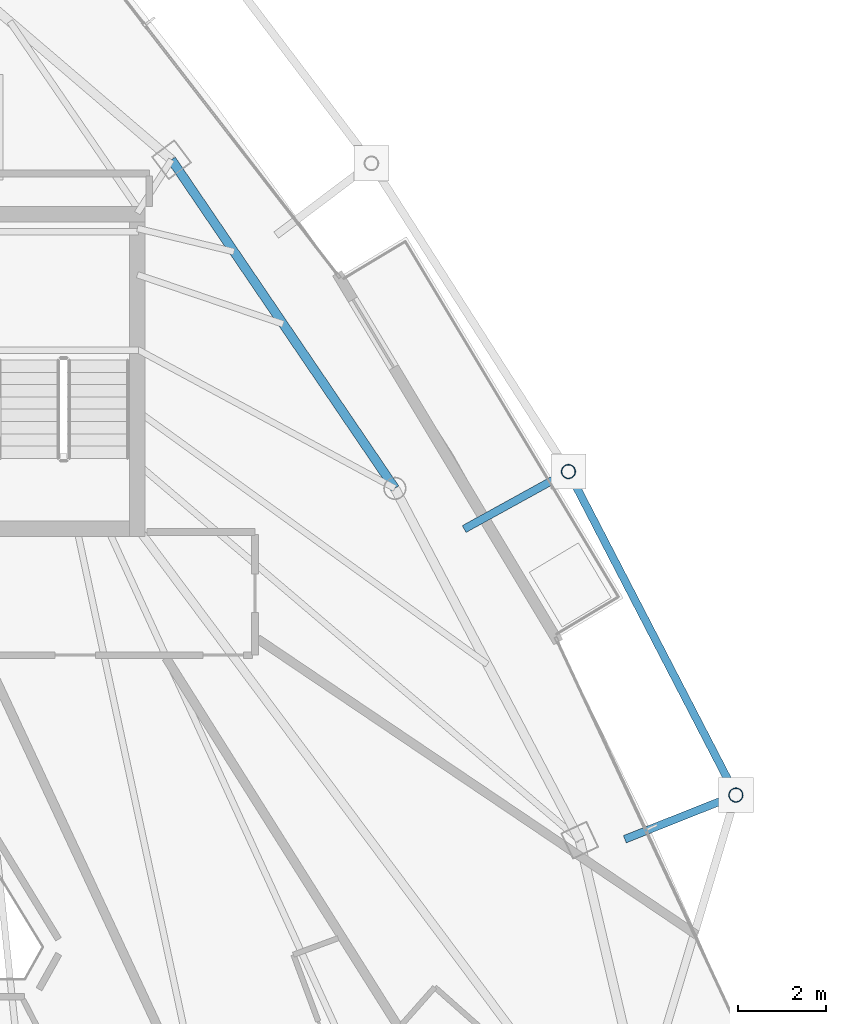
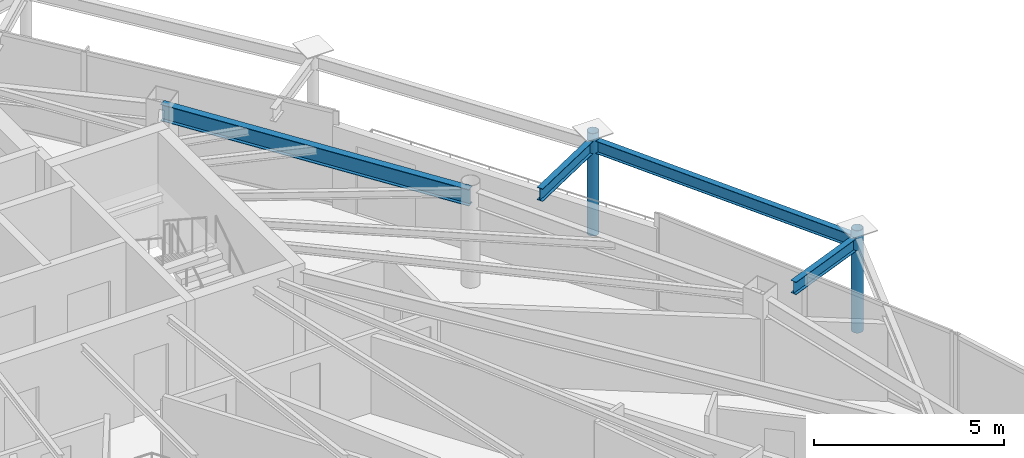
# One storey, part 18 of 29: 4 beams, 2 members.
"""IFC4 building model written with IfcOpenShell, lengths in metres."""

from ifc_helpers import new_model, si_unit, direction, frame, origin, origin_2d, place, context, subcontext, project, spatial, hollow_circle, i_section, extrude, material, material_profile, profile_set, type_object, element, save


model = new_model("IFC4")

# Units and contexts
model_context = context("Model", 3, precision=1e-05, world=origin(), true_north=direction((0.0, 1.0)))
body_context = subcontext(model_context, "Body", "Model", "MODEL_VIEW")
ifc_project = project(units=[si_unit("LENGTHUNIT", "METRE"), si_unit("AREAUNIT", "SQUARE_METRE"), si_unit("VOLUMEUNIT", "CUBIC_METRE"), si_unit("PLANEANGLEUNIT", "RADIAN"), si_unit("MASSUNIT", "GRAM", prefix="KILO")], contexts=[model_context])

# Site, building, storey
site_placement = place(None, origin())
site = spatial("IfcSite", under=ifc_project, at=site_placement, CompositionType="ELEMENT")
building_placement = place(site_placement, origin())
building = spatial("IfcBuilding", under=site, at=building_placement, Name="Orvanel Arch Residences", CompositionType="ELEMENT")
storey_placement = place(building_placement, frame((0.0, 0.0, 256.85009765625)))
storey = spatial("IfcBuildingStorey", under=building, at=storey_placement, Name="L73", CompositionType="ELEMENT", Elevation=256.85009765625)

# Beams
ifc_material_1 = material(Name="Structural steel AS/NZS 3679.1 Grade 300 (300 MPa)", Category="steel")
ifc_material_profile_1 = material_profile(ifc_material_1, i_section(OverallWidth=0.177978515625, OverallDepth=0.406005859375, WebThickness=0.0078125, FlangeThickness=0.0126953125, at=origin_2d()), Name="410UB59.7")
ifc_profile_set_1 = profile_set([ifc_material_profile_1], Name="Structural steel AS/NZS 3679.1 Grade 300 (300 MPa)")
beam_type_1 = type_object("IfcBeamType", Name="OB-410UB-EXT", PredefinedType="SPANDREL", material=ifc_profile_set_1)
beam_1_placement = place(storey_placement, frame((50.658935546875, 19.6640625, 2.85693359375), z_axis=(0.929255351853, 0.369438074719, 0.0), x_axis=(-0.369438074719, 0.929255351853, 0.0)))
element("IfcBeam", 1, at=beam_1_placement, inside=storey, type_object=beam_type_1, Name="L73 Outer Frame Radial Tie Beam 09", PredefinedType="SPANDREL", context=body_context, shape_type="SweptSolid", body=[
    extrude(i_section(OverallWidth=0.177978515625, OverallDepth=0.406005859375, WebThickness=0.0078125, FlangeThickness=0.0126953125, at=origin_2d()), origin(), (0.0, 0.0, 1.0), 2.71728515625),
])
beam_2_placement = place(storey_placement, frame((53.18408203125, 20.66796875, 2.85693359375), z_axis=(-0.459692354951, 0.88807822786, 0.0), x_axis=(-0.88807822786, -0.459692354951, 0.0)))
element("IfcBeam", 2, at=beam_2_placement, inside=storey, type_object=beam_type_1, Name="L73 Outer Perimeter Floor Ring Beam 09", PredefinedType="SPANDREL", context=body_context, shape_type="SweptSolid", body=[
    extrude(i_section(OverallWidth=0.177978515625, OverallDepth=0.406005859375, WebThickness=0.0078125, FlangeThickness=0.0126953125, at=origin_2d()), origin(), (0.0, 0.0, 1.0), 8.281982421875),
])
beam_3_placement = place(storey_placement, frame((47.006103515625, 26.716064453125, 2.85693359375), z_axis=(0.87576045219, 0.482745927358, 0.0), x_axis=(-0.482745927358, 0.87576045219, 0.0)))
element("IfcBeam", 3, at=beam_3_placement, inside=storey, type_object=beam_type_1, Name="L73 Outer Frame Radial Tie Beam 10", PredefinedType="SPANDREL", context=body_context, shape_type="SweptSolid", body=[
    extrude(i_section(OverallWidth=0.177978515625, OverallDepth=0.406005859375, WebThickness=0.0078125, FlangeThickness=0.0126953125, at=origin_2d()), origin(), (0.0, 0.0, 1.0), 2.707275390625),
])
ifc_material_profile_2 = material_profile(ifc_material_1, i_section(OverallWidth=0.208984375, OverallDepth=0.532958984375, WebThickness=0.01025390625, FlangeThickness=0.015625, at=origin_2d()), Name="530UB92.4")
ifc_profile_set_2 = profile_set([ifc_material_profile_2], Name="Structural steel AS/NZS 3679.1 Grade 300 (300 MPa)")
beam_type_2 = type_object("IfcBeamType", Name="SP-530UB", PredefinedType="SPANDREL", material=ifc_profile_set_2)
beam_4_placement = place(storey_placement, frame((45.430908203125, 27.64111328125, 2.7939453125), z_axis=(-0.562154793153, 0.827032035978, 0.0), x_axis=(-0.827032035978, -0.562154793153, 0.0)))
element("IfcBeam", 4, at=beam_4_placement, inside=storey, type_object=beam_type_2, Name="L73 Perimeter Spandrel Beam 08", PredefinedType="SPANDREL", context=body_context, shape_type="SweptSolid", body=[
    extrude(i_section(OverallWidth=0.208984375, OverallDepth=0.532958984375, WebThickness=0.01025390625, FlangeThickness=0.015625, at=origin_2d()), origin(), (0.0, 0.0, 1.0), 9.03466796875),
])

# Members
ifc_material_2 = material(Name="Structural steel AS/NZS 1163 C350L0 (Grade 350)", Category="steel")
ifc_material_profile_3 = material_profile(ifc_material_2, hollow_circle(Radius=0.162109375, WallThickness=0.0126953125, at=origin_2d()), Name="CHS324x12.7")
ifc_profile_set_3 = profile_set([ifc_material_profile_3], Name="Structural steel AS/NZS 1163 C350L0 (Grade 350)")
member_type = type_object("IfcMemberType", Name="ST-324CHS-EXT", PredefinedType="STRUT", material=ifc_profile_set_3)
for number, where, z_axis, x_axis, name in (
    (5, (53.18408203125, 20.66796875, 0.0), (0.0, 0.0, 1.0), (1.0, 0.0, 0.0), "L73 Outer Perimeter Frame Post 09"),
    (6, (49.376953125, 28.02294921875, 0.0), (0.0, 0.0, 1.0), (1.0, 0.0, 0.0), "L73 Outer Perimeter Frame Post 10"),
):
    element("IfcMember", number, at=place(storey_placement, frame(where, z_axis=z_axis, x_axis=x_axis)), inside=storey, type_object=member_type, Name=name, PredefinedType="STRUT", context=body_context, shape_type="SweptSolid", body=[
        extrude(hollow_circle(Radius=0.162109375, WallThickness=0.0126953125, at=origin_2d()), origin(), (0.0, 0.0, 1.0), 3.2998046875),
    ])

save(model, "model.ifc")
